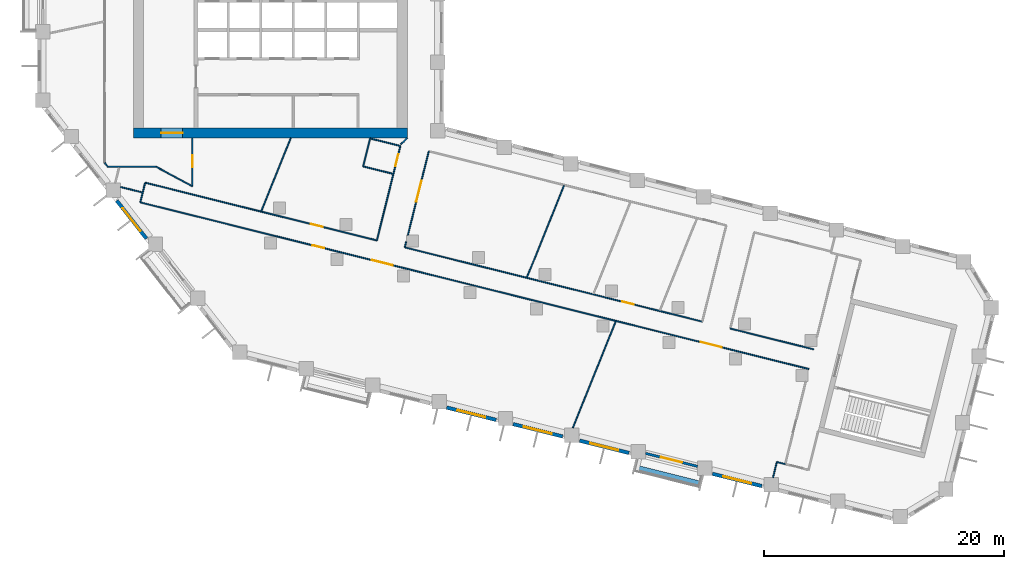
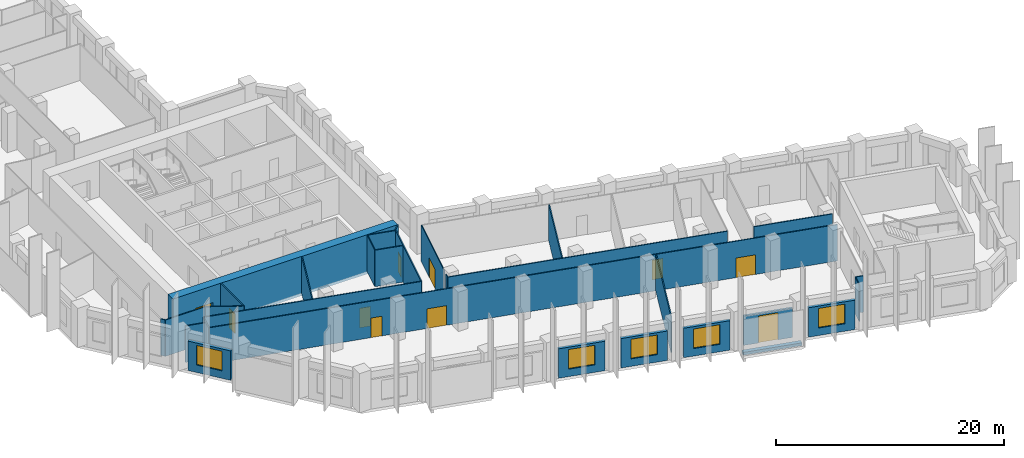
# One storey, part 3 of 10: 30 walls, 10 doors, 5 windows, 15 openings.
"""IFC4 building model written with IfcOpenShell, lengths in metres."""

from ifc_helpers import new_model, si_unit, direction, frame, frame_2d, origin, place, context, subcontext, project, spatial, rectangle, extrude, material, layer, layer_set, type_object, element, fill, save


model = new_model("IFC4")

# Units and contexts
model_context = context("Model", 3, precision=1e-05, world=origin(), true_north=direction((0.0, 1.0)))
body_context = subcontext(model_context, "Body", "Model", "MODEL_VIEW")
ifc_project = project(units=[si_unit("LENGTHUNIT", "METRE"), si_unit("AREAUNIT", "SQUARE_METRE"), si_unit("VOLUMEUNIT", "CUBIC_METRE"), si_unit("PLANEANGLEUNIT", "RADIAN"), si_unit("MASSUNIT", "GRAM", prefix="KILO")], contexts=[model_context])

# Site, building, storey
site_placement = place(None, origin())
site = spatial("IfcSite", under=ifc_project, at=site_placement, CompositionType="ELEMENT")
building_placement = place(site_placement, origin())
building = spatial("IfcBuilding", under=site, at=building_placement, Name="Meshkara Civic Tower", CompositionType="ELEMENT")
storey_placement = place(building_placement, frame((0.0, 0.0, 211.800048828125)))
storey = spatial("IfcBuildingStorey", under=building, at=storey_placement, Name="L48", CompositionType="ELEMENT", Elevation=211.800048828125)

# Wall, opening, door
ifc_material_1 = material(Name="Concrete C70", Category="concrete")
ifc_layer_1 = layer(ifc_material_1, 0.85009765625)
ifc_layer_set_1 = layer_set([ifc_layer_1], Name="Core ring wall 850 C70")
wall_type_1 = type_object("IfcWallType", Name="Core ring wall 850 C70", PredefinedType="SHEAR", material=ifc_layer_set_1)
wall_1_placement = place(storey_placement, frame((8.0, 14.52490234375, -0.300048828125), z_axis=(0.0, 0.0, 1.0), x_axis=(1.0, 0.0, 0.0)))
wall_1 = element("IfcWall", 1, at=wall_1_placement, inside=storey, type_object=wall_type_1, Name="L48-C001", PredefinedType="SHEAR", context=body_context, shape_type="SweptSolid", body=[
    extrude(rectangle(XDim=22.800048828125, YDim=0.85009765625, at=frame_2d((11.39990234375, 0.0))), origin(), (0.0, 0.0, 1.0), 4.199951171875),
])
opening_1_placement = place(wall_1_placement, frame((2.300048828125, 0.0, 0.300048828125)))
opening_1 = element("IfcOpeningElement", 2, at=opening_1_placement, cuts=wall_1, Name="Opening L48-K021", PredefinedType="OPENING", context=body_context, shape_type="SweptSolid", body=[
    extrude(rectangle(XDim=1.800048828125, YDim=2.10009765625, at=frame_2d((0.89990234375, 1.050048828125))), frame((0.0, 0.43505859375, 0.0), z_axis=(0.0, -1.0, 0.0), x_axis=(1.0, 0.0, 0.0)), (0.0, 0.0, 1.0), 0.8701171875),
])
ifc_material_2 = material(Name="Fire-rated door leaf in steel frame", Category="steel")
door_type_1 = type_object("IfcDoorType", Name="Core double door 1800 EI 60", OperationType="DOUBLE_DOOR_SINGLE_SWING", PredefinedType="DOOR", material=ifc_material_2)
door_1_placement = place(opening_1_placement, origin())
door_1 = element("IfcDoor", 3, at=door_1_placement, inside=storey, type_object=door_type_1, Name="L48-K021", OperationType="DOUBLE_DOOR_SINGLE_SWING", OverallHeight=2.10009765625, OverallWidth=1.800048828125, PredefinedType="DOOR", context=body_context, shape_type="SweptSolid", body=[
    extrude(rectangle(XDim=1.800048828125, YDim=2.10009765625, at=frame_2d((0.89990234375, 1.050048828125))), frame((0.0, 0.02490234375, 0.0), z_axis=(0.0, -1.0, 0.0), x_axis=(1.0, 0.0, 0.0)), (0.0, 0.0, 1.0), 0.050048828125),
])
fill(opening_1, door_1)

# Walls
ifc_material_3 = material(Name="Corridor wall 100")
ifc_layer_2 = layer(ifc_material_3, 0.10009765625)
ifc_layer_set_2 = layer_set([ifc_layer_2], Name="Corridor wall 100")
wall_type_2 = type_object("IfcWallType", Name="Corridor wall 100", PredefinedType="PARTITIONING", material=ifc_layer_set_2)
wall_2_placement = place(storey_placement, frame((5.60009765625, 12.04296875, 0.0), z_axis=(0.0, 0.0, 1.0), x_axis=(0.615415398102, -0.788202948344, 0.0)))
element("IfcWall", 4, at=wall_2_placement, inside=storey, type_object=wall_type_2, Name="L48-W004", PredefinedType="PARTITIONING", context=body_context, shape_type="SweptSolid", body=[
    extrude(rectangle(XDim=0.435302734375, YDim=0.10009765625, at=frame_2d((0.2177734375, 0.0))), origin(), (0.0, 0.0, 1.0), 3.89990234375),
])
wall_3_placement = place(storey_placement, frame((5.867919921875, 11.699951171875, 0.0), z_axis=(0.0, 0.0, 1.0), x_axis=(1.0, 0.0, 0.0)))
element("IfcWall", 5, at=wall_3_placement, inside=storey, type_object=wall_type_2, Name="L48-W006", PredefinedType="PARTITIONING", context=body_context, shape_type="SweptSolid", body=[
    extrude(rectangle(XDim=4.031982421875, YDim=0.10009765625, at=frame_2d((2.01611328125, 0.0))), origin(), (0.0, 0.0, 1.0), 3.89990234375),
])

# Wall, openings, doors
wall_4_placement = place(storey_placement, frame((8.56494140625, 8.743896484375, 0.0), z_axis=(0.0, 0.0, 1.0), x_axis=(0.970296742948, -0.241917817915, 0.0)))
wall_4 = element("IfcWall", 6, at=wall_4_placement, inside=storey, type_object=wall_type_2, Name="L48-W008", PredefinedType="PARTITIONING", context=body_context, shape_type="SweptSolid", body=[
    extrude(rectangle(XDim=57.374267578125, YDim=0.10009765625, at=frame_2d((28.68701171875, 0.0))), origin(), (0.0, 0.0, 1.0), 3.89990234375),
])
opening_2_placement = place(wall_4_placement, frame((48.091064453125, 0.0, 0.0)))
opening_2 = element("IfcOpeningElement", 7, at=opening_2_placement, cuts=wall_4, Name="Opening L48-D003", PredefinedType="OPENING", context=body_context, shape_type="SweptSolid", body=[
    extrude(rectangle(XDim=1.800048828125, YDim=2.10009765625, at=frame_2d((0.89990234375, 1.050048828125))), frame((0.0, 0.06005859375, 0.0), z_axis=(0.0, -1.0, 0.0), x_axis=(1.0, 0.0, 0.0)), (0.0, 0.0, 1.0), 0.1201171875),
])
opening_3_placement = place(wall_4_placement, frame((14.780029296875, 0.0, 0.0)))
opening_3 = element("IfcOpeningElement", 8, at=opening_3_placement, cuts=wall_4, Name="Opening L48-D004", PredefinedType="OPENING", context=body_context, shape_type="SweptSolid", body=[
    extrude(rectangle(XDim=1.0, YDim=2.10009765625, at=frame_2d((0.5, 1.050048828125))), frame((0.0, 0.06005859375, 0.0), z_axis=(0.0, -1.0, 0.0), x_axis=(1.0, 0.0, 0.0)), (0.0, 0.0, 1.0), 0.1201171875),
])
opening_4_placement = place(wall_4_placement, frame((19.8798828125, 0.0, 0.0)))
opening_4 = element("IfcOpeningElement", 9, at=opening_4_placement, cuts=wall_4, Name="Opening L48-D005", PredefinedType="OPENING", context=body_context, shape_type="SweptSolid", body=[
    extrude(rectangle(XDim=1.800048828125, YDim=2.10009765625, at=frame_2d((0.89990234375, 1.050048828125))), frame((0.0, 0.06005859375, 0.0), z_axis=(0.0, -1.0, 0.0), x_axis=(1.0, 0.0, 0.0)), (0.0, 0.0, 1.0), 0.1201171875),
])
ifc_material_4 = material(Name="Door 1000 x 2100")
door_type_2 = type_object("IfcDoorType", Name="Door 1000 x 2100", OperationType="SINGLE_SWING_LEFT", PredefinedType="DOOR", material=ifc_material_4)
door_2_placement = place(opening_3_placement, origin())
door_2 = element("IfcDoor", 10, at=door_2_placement, inside=storey, type_object=door_type_2, Name="L48-D004", OperationType="SINGLE_SWING_RIGHT", OverallHeight=2.10009765625, OverallWidth=1.0, PredefinedType="DOOR", context=body_context, shape_type="SweptSolid", body=[
    extrude(rectangle(XDim=1.0, YDim=2.10009765625, at=frame_2d((0.5, 1.050048828125))), frame((0.0, 0.02490234375, 0.0), z_axis=(0.0, -1.0, 0.0), x_axis=(1.0, 0.0, 0.0)), (0.0, 0.0, 1.0), 0.050048828125),
])
fill(opening_3, door_2)
ifc_material_5 = material(Name="Door pair 1800 x 2100")
door_type_3 = type_object("IfcDoorType", Name="Door pair 1800 x 2100", OperationType="SINGLE_SWING_LEFT", PredefinedType="DOOR", material=ifc_material_5)
door_3_placement = place(opening_2_placement, origin())
door_3 = element("IfcDoor", 11, at=door_3_placement, inside=storey, type_object=door_type_3, Name="L48-D003", OperationType="DOUBLE_DOOR_SINGLE_SWING", OverallHeight=2.10009765625, OverallWidth=1.800048828125, PredefinedType="DOOR", context=body_context, shape_type="SweptSolid", body=[
    extrude(rectangle(XDim=1.800048828125, YDim=2.10009765625, at=frame_2d((0.89990234375, 1.050048828125))), frame((0.0, 0.02490234375, 0.0), z_axis=(0.0, -1.0, 0.0), x_axis=(1.0, 0.0, 0.0)), (0.0, 0.0, 1.0), 0.050048828125),
])
fill(opening_2, door_3)
door_4_placement = place(opening_4_placement, origin())
door_4 = element("IfcDoor", 12, at=door_4_placement, inside=storey, type_object=door_type_3, Name="L48-D005", OperationType="DOUBLE_DOOR_SINGLE_SWING", OverallHeight=2.10009765625, OverallWidth=1.800048828125, PredefinedType="DOOR", context=body_context, shape_type="SweptSolid", body=[
    extrude(rectangle(XDim=1.800048828125, YDim=2.10009765625, at=frame_2d((0.89990234375, 1.050048828125))), frame((0.0, 0.02490234375, 0.0), z_axis=(0.0, -1.0, 0.0), x_axis=(1.0, 0.0, 0.0)), (0.0, 0.0, 1.0), 0.050048828125),
])
fill(opening_4, door_4)

# Wall, opening, door
wall_5_placement = place(storey_placement, frame((8.972900390625, 10.382080078125, 0.0), z_axis=(0.0, 0.0, 1.0), x_axis=(0.970286808807, -0.241957658808, 0.0)))
wall_5 = element("IfcWall", 13, at=wall_5_placement, inside=storey, type_object=wall_type_2, Name="L48-W009", PredefinedType="PARTITIONING", context=body_context, shape_type="SweptSolid", body=[
    extrude(rectangle(XDim=19.879638671875, YDim=0.10009765625, at=frame_2d((9.93994140625, 0.0))), origin(), (0.0, 0.0, 1.0), 3.89990234375),
])
opening_5_placement = place(wall_5_placement, frame((14.22509765625, 0.0, 0.0)))
opening_5 = element("IfcOpeningElement", 14, at=opening_5_placement, cuts=wall_5, Name="Opening L48-D009", PredefinedType="OPENING", context=body_context, shape_type="SweptSolid", body=[
    extrude(rectangle(XDim=1.0, YDim=2.10009765625, at=frame_2d((0.5, 1.050048828125))), frame((0.0, 0.06005859375, 0.0), z_axis=(0.0, -1.0, 0.0), x_axis=(1.0, 0.0, 0.0)), (0.0, 0.0, 1.0), 0.1201171875),
])
door_5_placement = place(opening_5_placement, origin())
door_5 = element("IfcDoor", 15, at=door_5_placement, inside=storey, type_object=door_type_2, Name="L48-D009", OperationType="SINGLE_SWING_LEFT", OverallHeight=2.10009765625, OverallWidth=1.0, PredefinedType="DOOR", context=body_context, shape_type="SweptSolid", body=[
    extrude(rectangle(XDim=1.0, YDim=2.10009765625, at=frame_2d((0.5, 1.050048828125))), frame((0.0, 0.02490234375, 0.0), z_axis=(0.0, -1.0, 0.0), x_axis=(1.0, 0.0, 0.0)), (0.0, 0.0, 1.0), 0.050048828125),
])
fill(opening_5, door_5)

# Walls
wall_6_placement = place(storey_placement, frame((8.972900390625, 10.382080078125, 0.0), z_axis=(0.0, 0.0, 1.0), x_axis=(-0.241650823739, -0.970363271866, 0.0)))
element("IfcWall", 16, at=wall_6_placement, inside=storey, type_object=wall_type_2, Name="L48-W010", PredefinedType="PARTITIONING", context=body_context, shape_type="SweptSolid", body=[
    extrude(rectangle(XDim=1.688232421875, YDim=0.10009765625, at=frame_2d((0.84423828125, 0.0))), origin(), (0.0, 0.0, 1.0), 3.89990234375),
])
wall_7_placement = place(storey_placement, frame((9.89990234375, 11.699951171875, 0.0), z_axis=(0.0, 0.0, 1.0), x_axis=(0.87965147249, -0.475618846291, 0.0)))
element("IfcWall", 17, at=wall_7_placement, inside=storey, type_object=wall_type_2, Name="L48-W011", PredefinedType="PARTITIONING", context=body_context, shape_type="SweptSolid", body=[
    extrude(rectangle(XDim=3.410400390625, YDim=0.10009765625, at=frame_2d((1.705078125, 0.0))), origin(), (0.0, 0.0, 1.0), 3.89990234375),
])

# Wall, opening, door
wall_8_placement = place(storey_placement, frame((12.89990234375, 10.077880859375, 0.0), z_axis=(0.0, 0.0, 1.0), x_axis=(0.0, 1.0, 0.0)))
wall_8 = element("IfcWall", 18, at=wall_8_placement, inside=storey, type_object=wall_type_2, Name="L48-W016", PredefinedType="PARTITIONING", context=body_context, shape_type="SweptSolid", body=[
    extrude(rectangle(XDim=4.022216796875, YDim=0.10009765625, at=frame_2d((2.01123046875, 0.0))), origin(), (0.0, 0.0, 1.0), 3.89990234375),
])
opening_6_placement = place(wall_8_placement, frame((1.580078125, 0.0, 0.0)))
opening_6 = element("IfcOpeningElement", 19, at=opening_6_placement, cuts=wall_8, Name="Opening L48-D013", PredefinedType="OPENING", context=body_context, shape_type="SweptSolid", body=[
    extrude(rectangle(XDim=1.0, YDim=2.10009765625, at=frame_2d((0.5, 1.050048828125))), frame((0.0, 0.06005859375, 0.0), z_axis=(0.0, -1.0, 0.0), x_axis=(1.0, 0.0, 0.0)), (0.0, 0.0, 1.0), 0.1201171875),
])
door_6_placement = place(opening_6_placement, origin())
door_6 = element("IfcDoor", 20, at=door_6_placement, inside=storey, type_object=door_type_2, Name="L48-D013", OperationType="SINGLE_SWING_LEFT", OverallHeight=2.10009765625, OverallWidth=1.0, PredefinedType="DOOR", context=body_context, shape_type="SweptSolid", body=[
    extrude(rectangle(XDim=1.0, YDim=2.10009765625, at=frame_2d((0.5, 1.050048828125))), frame((0.0, 0.02490234375, 0.0), z_axis=(0.0, -1.0, 0.0), x_axis=(1.0, 0.0, 0.0)), (0.0, 0.0, 1.0), 0.050048828125),
])
fill(opening_6, door_6)

wall_9_placement = place(storey_placement, frame((28.261962890625, 5.572021484375, 0.0), z_axis=(0.0, 0.0, 1.0), x_axis=(0.241919014237, 0.970296444676, 0.0)))
wall_9 = element("IfcWall", 21, at=wall_9_placement, inside=storey, type_object=wall_type_2, Name="L48-W026", PredefinedType="PARTITIONING", context=body_context, shape_type="SweptSolid", body=[
    extrude(rectangle(XDim=8.105712890625, YDim=0.10009765625, at=frame_2d((4.052734375, 0.0))), origin(), (0.0, 0.0, 1.0), 3.89990234375),
])
opening_7_placement = place(wall_9_placement, frame((6.385986328125, 0.0, 0.0)))
opening_7 = element("IfcOpeningElement", 22, at=opening_7_placement, cuts=wall_9, Name="Opening L48-D014", PredefinedType="OPENING", context=body_context, shape_type="SweptSolid", body=[
    extrude(rectangle(XDim=1.0, YDim=2.10009765625, at=frame_2d((0.5, 1.050048828125))), frame((0.0, 0.06005859375, 0.0), z_axis=(0.0, -1.0, 0.0), x_axis=(1.0, 0.0, 0.0)), (0.0, 0.0, 1.0), 0.1201171875),
])
door_7_placement = place(opening_7_placement, origin())
door_7 = element("IfcDoor", 23, at=door_7_placement, inside=storey, type_object=door_type_2, Name="L48-D014", OperationType="SINGLE_SWING_LEFT", OverallHeight=2.10009765625, OverallWidth=1.0, PredefinedType="DOOR", context=body_context, shape_type="SweptSolid", body=[
    extrude(rectangle(XDim=1.0, YDim=2.10009765625, at=frame_2d((0.5, 1.050048828125))), frame((0.0, 0.02490234375, 0.0), z_axis=(0.0, -1.0, 0.0), x_axis=(1.0, 0.0, 0.0)), (0.0, 0.0, 1.0), 0.050048828125),
])
fill(opening_7, door_7)

wall_10_placement = place(storey_placement, frame((30.590087890625, 4.991943359375, 0.0), z_axis=(0.0, 0.0, 1.0), x_axis=(0.97028916255, -0.241948219746, 0.0)))
wall_10 = element("IfcWall", 24, at=wall_10_placement, inside=storey, type_object=wall_type_2, Name="L48-W028", PredefinedType="PARTITIONING", context=body_context, shape_type="SweptSolid", body=[
    extrude(rectangle(XDim=25.526123046875, YDim=0.10009765625, at=frame_2d((12.76318359375, 0.0))), origin(), (0.0, 0.0, 1.0), 3.89990234375),
])
opening_8_placement = place(wall_10_placement, frame((18.64599609375, 0.0, 0.0)))
opening_8 = element("IfcOpeningElement", 25, at=opening_8_placement, cuts=wall_10, Name="Opening L48-D006", PredefinedType="OPENING", context=body_context, shape_type="SweptSolid", body=[
    extrude(rectangle(XDim=1.0, YDim=2.10009765625, at=frame_2d((0.5, 1.050048828125))), frame((0.0, 0.06005859375, 0.0), z_axis=(0.0, -1.0, 0.0), x_axis=(1.0, 0.0, 0.0)), (0.0, 0.0, 1.0), 0.1201171875),
])
door_8_placement = place(opening_8_placement, origin())
door_8 = element("IfcDoor", 26, at=door_8_placement, inside=storey, type_object=door_type_2, Name="L48-D006", OperationType="SINGLE_SWING_RIGHT", OverallHeight=2.10009765625, OverallWidth=1.0, PredefinedType="DOOR", context=body_context, shape_type="SweptSolid", body=[
    extrude(rectangle(XDim=1.0, YDim=2.10009765625, at=frame_2d((0.5, 1.050048828125))), frame((0.0, 0.02490234375, 0.0), z_axis=(0.0, -1.0, 0.0), x_axis=(1.0, 0.0, 0.0)), (0.0, 0.0, 1.0), 0.050048828125),
])
fill(opening_8, door_8)

# Walls
wall_11_placement = place(storey_placement, frame((30.590087890625, 4.991943359375, 0.0), z_axis=(0.0, 0.0, 1.0), x_axis=(0.241731207299, 0.970343250308, 0.0)))
element("IfcWall", 27, at=wall_11_placement, inside=storey, type_object=wall_type_2, Name="L48-W029", PredefinedType="PARTITIONING", context=body_context, shape_type="SweptSolid", body=[
    extrude(rectangle(XDim=0.5, YDim=0.10009765625, at=frame_2d((0.25, 0.0))), origin(), (0.0, 0.0, 1.0), 3.89990234375),
])
wall_12_placement = place(storey_placement, frame((30.800048828125, 14.10009765625, 0.0), z_axis=(0.0, 0.0, 1.0), x_axis=(-0.722911025189, -0.690941133281, 0.0)))
element("IfcWall", 28, at=wall_12_placement, inside=storey, type_object=wall_type_2, Name="L48-W030", PredefinedType="PARTITIONING", context=body_context, shape_type="SweptSolid", body=[
    extrude(rectangle(XDim=0.748291015625, YDim=0.10009765625, at=frame_2d((0.3740234375, 0.0))), origin(), (0.0, 0.0, 1.0), 3.89990234375),
])

# Wall, opening, door
wall_13_placement = place(storey_placement, frame((30.844970703125, 6.012939453125, 0.0), z_axis=(0.0, 0.0, 1.0), x_axis=(0.241969354343, 0.97028389225, 0.0)))
wall_13 = element("IfcWall", 29, at=wall_13_placement, inside=storey, type_object=wall_type_2, Name="L48-W031", PredefinedType="PARTITIONING", context=body_context, shape_type="SweptSolid", body=[
    extrude(rectangle(XDim=7.203125, YDim=0.10009765625, at=frame_2d((3.6015625, 0.0))), origin(), (0.0, 0.0, 1.0), 3.89990234375),
])
opening_9_placement = place(wall_13_placement, frame((2.8798828125, 0.0, 0.0)))
opening_9 = element("IfcOpeningElement", 30, at=opening_9_placement, cuts=wall_13, Name="Opening L48-D010", PredefinedType="OPENING", context=body_context, shape_type="SweptSolid", body=[
    extrude(rectangle(XDim=1.800048828125, YDim=2.10009765625, at=frame_2d((0.89990234375, 1.050048828125))), frame((0.0, 0.06005859375, 0.0), z_axis=(0.0, -1.0, 0.0), x_axis=(1.0, 0.0, 0.0)), (0.0, 0.0, 1.0), 0.1201171875),
])
door_9_placement = place(opening_9_placement, origin())
door_9 = element("IfcDoor", 31, at=door_9_placement, inside=storey, type_object=door_type_3, Name="L48-D010", OperationType="DOUBLE_DOOR_SINGLE_SWING", OverallHeight=2.10009765625, OverallWidth=1.800048828125, PredefinedType="DOOR", context=body_context, shape_type="SweptSolid", body=[
    extrude(rectangle(XDim=1.800048828125, YDim=2.10009765625, at=frame_2d((0.89990234375, 1.050048828125))), frame((0.0, 0.02490234375, 0.0), z_axis=(0.0, -1.0, 0.0), x_axis=(1.0, 0.0, 0.0)), (0.0, 0.0, 1.0), 0.050048828125),
])
fill(opening_9, door_9)

# Wall
wall_14_placement = place(storey_placement, frame((64.64404296875, -3.4990234375, 0.0), z_axis=(0.0, 0.0, 1.0), x_axis=(-0.970278545738, 0.241990792552, 0.0)))
element("IfcWall", 32, at=wall_14_placement, inside=storey, type_object=wall_type_2, Name="L48-W039", PredefinedType="PARTITIONING", context=body_context, shape_type="SweptSolid", body=[
    extrude(rectangle(XDim=7.170166015625, YDim=0.10009765625, at=frame_2d((3.5849609375, 0.0))), origin(), (0.0, 0.0, 1.0), 3.89990234375),
])

# Wall, opening, window
ifc_material_6 = material(Name="Insulated infill panel with bronze anodised aluminium cladding", Category="aluminium")
ifc_layer_3 = layer(ifc_material_6, 0.300048828125)
ifc_layer_set_3 = layer_set([ifc_layer_3], Name="EXTERNAL INFILL WALL 300")
wall_type_3 = type_object("IfcWallType", Name="EXTERNAL INFILL WALL 300", PredefinedType="SOLIDWALL", material=ifc_layer_set_3)
wall_15_placement = place(storey_placement, frame((6.60498046875, 8.888916015625, 0.0), z_axis=(0.0, 0.0, 1.0), x_axis=(0.615706559089, -0.787975528233, 0.0)))
wall_15 = element("IfcWall", 33, at=wall_15_placement, inside=storey, type_object=wall_type_3, Name="External wall", PredefinedType="SOLIDWALL", context=body_context, shape_type="SweptSolid", body=[
    extrude(rectangle(XDim=4.016357421875, YDim=0.300048828125, at=frame_2d((2.00830078125, 0.0))), origin(), (0.0, 0.0, 1.0), 3.14990234375),
])
opening_10_placement = place(wall_15_placement, frame((0.80810546875, 0.0, 0.800048828125)))
opening_10 = element("IfcOpeningElement", 34, at=opening_10_placement, cuts=wall_15, Name="Opening W7", PredefinedType="OPENING", context=body_context, shape_type="SweptSolid", body=[
    extrude(rectangle(XDim=2.39990234375, YDim=2.10009765625, at=frame_2d((1.199951171875, 1.050048828125))), frame((0.0, 0.159912109375, 0.0), z_axis=(0.0, -1.0, 0.0), x_axis=(1.0, 0.0, 0.0)), (0.0, 0.0, 1.0), 0.320068359375),
])
ifc_material_7 = material(Name="Tinted double glazing", Category="glass")
window_type = type_object("IfcWindowType", Name="WINDOW 2400x2100", PartitioningType="DOUBLE_PANEL_VERTICAL", PredefinedType="WINDOW", material=ifc_material_7)
window_1_placement = place(opening_10_placement, origin())
window_1 = element("IfcWindow", 35, at=window_1_placement, inside=storey, type_object=window_type, Name="Window", OverallHeight=2.10009765625, OverallWidth=2.39990234375, PartitioningType="DOUBLE_PANEL_VERTICAL", PredefinedType="WINDOW", context=body_context, shape_type="SweptSolid", body=[
    extrude(rectangle(XDim=2.39990234375, YDim=2.10009765625, at=frame_2d((1.199951171875, 1.050048828125))), frame((0.0, 0.030029296875, 0.0), z_axis=(0.0, -1.0, 0.0), x_axis=(1.0, 0.0, 0.0)), (0.0, 0.0, 1.0), 0.06005859375),
])
fill(opening_10, window_1)

wall_16_placement = place(storey_placement, frame((34.075927734375, -8.342041015625, 0.0), z_axis=(0.0, 0.0, 1.0), x_axis=(0.970318118028, -0.241832069473, 0.0)))
wall_16 = element("IfcWall", 36, at=wall_16_placement, inside=storey, type_object=wall_type_3, Name="External wall", PredefinedType="SOLIDWALL", context=body_context, shape_type="SweptSolid", body=[
    extrude(rectangle(XDim=4.24609375, YDim=0.300048828125, at=frame_2d((2.123046875, 0.0))), origin(), (0.0, 0.0, 1.0), 3.14990234375),
])
opening_11_placement = place(wall_16_placement, frame((0.923095703125, 0.0, 0.800048828125)))
opening_11 = element("IfcOpeningElement", 37, at=opening_11_placement, cuts=wall_16, Name="Opening W7", PredefinedType="OPENING", context=body_context, shape_type="SweptSolid", body=[
    extrude(rectangle(XDim=2.39990234375, YDim=2.10009765625, at=frame_2d((1.199951171875, 1.050048828125))), frame((0.0, 0.159912109375, 0.0), z_axis=(0.0, -1.0, 0.0), x_axis=(1.0, 0.0, 0.0)), (0.0, 0.0, 1.0), 0.320068359375),
])
window_2_placement = place(opening_11_placement, origin())
window_2 = element("IfcWindow", 38, at=window_2_placement, inside=storey, type_object=window_type, Name="Window", OverallHeight=2.10009765625, OverallWidth=2.39990234375, PartitioningType="DOUBLE_PANEL_VERTICAL", PredefinedType="WINDOW", context=body_context, shape_type="SweptSolid", body=[
    extrude(rectangle(XDim=2.39990234375, YDim=2.10009765625, at=frame_2d((1.199951171875, 1.050048828125))), frame((0.0, 0.030029296875, 0.0), z_axis=(0.0, -1.0, 0.0), x_axis=(1.0, 0.0, 0.0)), (0.0, 0.0, 1.0), 0.06005859375),
])
fill(opening_11, window_2)

wall_17_placement = place(storey_placement, frame((39.60693359375, -9.719970703125, 0.0), z_axis=(0.0, 0.0, 1.0), x_axis=(0.970250625545, -0.242102712975, 0.0)))
wall_17 = element("IfcWall", 39, at=wall_17_placement, inside=storey, type_object=wall_type_3, Name="External wall", PredefinedType="SOLIDWALL", context=body_context, shape_type="SweptSolid", body=[
    extrude(rectangle(XDim=4.246337890625, YDim=0.300048828125, at=frame_2d((2.123046875, 0.0))), origin(), (0.0, 0.0, 1.0), 3.14990234375),
])
opening_12_placement = place(wall_17_placement, frame((0.923095703125, 0.0, 0.800048828125)))
opening_12 = element("IfcOpeningElement", 40, at=opening_12_placement, cuts=wall_17, Name="Opening W7", PredefinedType="OPENING", context=body_context, shape_type="SweptSolid", body=[
    extrude(rectangle(XDim=2.39990234375, YDim=2.10009765625, at=frame_2d((1.199951171875, 1.050048828125))), frame((0.0, 0.159912109375, 0.0), z_axis=(0.0, -1.0, 0.0), x_axis=(1.0, 0.0, 0.0)), (0.0, 0.0, 1.0), 0.320068359375),
])
window_3_placement = place(opening_12_placement, origin())
window_3 = element("IfcWindow", 41, at=window_3_placement, inside=storey, type_object=window_type, Name="Window", OverallHeight=2.10009765625, OverallWidth=2.39990234375, PartitioningType="DOUBLE_PANEL_VERTICAL", PredefinedType="WINDOW", context=body_context, shape_type="SweptSolid", body=[
    extrude(rectangle(XDim=2.39990234375, YDim=2.10009765625, at=frame_2d((1.199951171875, 1.050048828125))), frame((0.0, 0.030029296875, 0.0), z_axis=(0.0, -1.0, 0.0), x_axis=(1.0, 0.0, 0.0)), (0.0, 0.0, 1.0), 0.06005859375),
])
fill(opening_12, window_3)

wall_18_placement = place(storey_placement, frame((45.137939453125, -11.09912109375, 0.0), z_axis=(0.0, 0.0, 1.0), x_axis=(0.970304663212, -0.241886048688, 0.0)))
wall_18 = element("IfcWall", 42, at=wall_18_placement, inside=storey, type_object=wall_type_3, Name="External wall", PredefinedType="SOLIDWALL", context=body_context, shape_type="SweptSolid", body=[
    extrude(rectangle(XDim=4.2451171875, YDim=0.300048828125, at=frame_2d((2.12255859375, 0.0))), origin(), (0.0, 0.0, 1.0), 3.14990234375),
])
opening_13_placement = place(wall_18_placement, frame((0.922119140625, 0.0, 0.800048828125)))
opening_13 = element("IfcOpeningElement", 43, at=opening_13_placement, cuts=wall_18, Name="Opening W7", PredefinedType="OPENING", context=body_context, shape_type="SweptSolid", body=[
    extrude(rectangle(XDim=2.39990234375, YDim=2.10009765625, at=frame_2d((1.199951171875, 1.050048828125))), frame((0.0, 0.159912109375, 0.0), z_axis=(0.0, -1.0, 0.0), x_axis=(1.0, 0.0, 0.0)), (0.0, 0.0, 1.0), 0.320068359375),
])
window_4_placement = place(opening_13_placement, origin())
window_4 = element("IfcWindow", 44, at=window_4_placement, inside=storey, type_object=window_type, Name="Window", OverallHeight=2.10009765625, OverallWidth=2.39990234375, PartitioningType="DOUBLE_PANEL_VERTICAL", PredefinedType="WINDOW", context=body_context, shape_type="SweptSolid", body=[
    extrude(rectangle(XDim=2.39990234375, YDim=2.10009765625, at=frame_2d((1.199951171875, 1.050048828125))), frame((0.0, 0.030029296875, 0.0), z_axis=(0.0, -1.0, 0.0), x_axis=(1.0, 0.0, 0.0)), (0.0, 0.0, 1.0), 0.06005859375),
])
fill(opening_13, window_4)

wall_19_placement = place(storey_placement, frame((56.198974609375, -13.85693359375, 0.0), z_axis=(0.0, 0.0, 1.0), x_axis=(0.97030462482, -0.241886202691, 0.0)))
wall_19 = element("IfcWall", 45, at=wall_19_placement, inside=storey, type_object=wall_type_3, Name="External wall", PredefinedType="SOLIDWALL", context=body_context, shape_type="SweptSolid", body=[
    extrude(rectangle(XDim=4.24609375, YDim=0.300048828125, at=frame_2d((2.123046875, 0.0))), origin(), (0.0, 0.0, 1.0), 3.14990234375),
])
opening_14_placement = place(wall_19_placement, frame((0.923095703125, 0.0, 0.800048828125)))
opening_14 = element("IfcOpeningElement", 46, at=opening_14_placement, cuts=wall_19, Name="Opening W7", PredefinedType="OPENING", context=body_context, shape_type="SweptSolid", body=[
    extrude(rectangle(XDim=2.39990234375, YDim=2.10009765625, at=frame_2d((1.199951171875, 1.050048828125))), frame((0.0, 0.159912109375, 0.0), z_axis=(0.0, -1.0, 0.0), x_axis=(1.0, 0.0, 0.0)), (0.0, 0.0, 1.0), 0.320068359375),
])
window_5_placement = place(opening_14_placement, origin())
window_5 = element("IfcWindow", 47, at=window_5_placement, inside=storey, type_object=window_type, Name="Window", OverallHeight=2.10009765625, OverallWidth=2.39990234375, PartitioningType="DOUBLE_PANEL_VERTICAL", PredefinedType="WINDOW", context=body_context, shape_type="SweptSolid", body=[
    extrude(rectangle(XDim=2.39990234375, YDim=2.10009765625, at=frame_2d((1.199951171875, 1.050048828125))), frame((0.0, 0.030029296875, 0.0), z_axis=(0.0, -1.0, 0.0), x_axis=(1.0, 0.0, 0.0)), (0.0, 0.0, 1.0), 0.06005859375),
])
fill(opening_14, window_5)

# Wall, opening, door
ifc_material_8 = material(Name="Insulated infill panel with bronze anodised aluminium cladding", Category="aluminium")
ifc_layer_4 = layer(ifc_material_8, 0.199951171875)
ifc_layer_set_4 = layer_set([ifc_layer_4], Name="LOGGIA BACK WALL 200")
wall_type_4 = type_object("IfcWallType", Name="LOGGIA BACK WALL 200", PredefinedType="SOLIDWALL", material=ifc_layer_set_4)
wall_20_placement = place(storey_placement, frame((50.635009765625, -12.160888671875, 0.0), z_axis=(0.0, 0.0, 1.0), x_axis=(0.970335243139, -0.241763346938, 0.0)))
wall_20 = element("IfcWall", 48, at=wall_20_placement, inside=storey, type_object=wall_type_4, Name="Loggia wall", PredefinedType="SOLIDWALL", context=body_context, shape_type="SweptSolid", body=[
    extrude(rectangle(XDim=4.46337890625, YDim=0.199951171875, at=frame_2d((2.231689453125, 0.0))), origin(), (0.0, 0.0, 1.0), 3.14990234375),
])
opening_15_placement = place(wall_20_placement, frame((1.3310546875, 0.0, 0.0)))
opening_15 = element("IfcOpeningElement", 49, at=opening_15_placement, cuts=wall_20, Name="Opening L48-L005", PredefinedType="OPENING", context=body_context, shape_type="SweptSolid", body=[
    extrude(rectangle(XDim=1.800048828125, YDim=2.89990234375, at=frame_2d((0.89990234375, 1.449951171875))), frame((0.0, 0.10986328125, 0.0), z_axis=(0.0, -1.0, 0.0), x_axis=(1.0, 0.0, 0.0)), (0.0, 0.0, 1.0), 0.219970703125),
])
ifc_material_9 = material(Name="Tinted double glazing", Category="glass")
door_type_4 = type_object("IfcDoorType", Name="LOGGIA DOOR 1800x2900", OperationType="DOUBLE_DOOR_SINGLE_SWING", PredefinedType="DOOR", material=ifc_material_9)
door_10_placement = place(opening_15_placement, origin())
door_10 = element("IfcDoor", 50, at=door_10_placement, inside=storey, type_object=door_type_4, Name="L48-L005", OperationType="DOUBLE_DOOR_SINGLE_SWING", OverallHeight=2.89990234375, OverallWidth=1.800048828125, PredefinedType="DOOR", context=body_context, shape_type="SweptSolid", body=[
    extrude(rectangle(XDim=1.800048828125, YDim=2.89990234375, at=frame_2d((0.89990234375, 1.449951171875))), frame((0.0, 0.02490234375, 0.0), z_axis=(0.0, -1.0, 0.0), x_axis=(1.0, 0.0, 0.0)), (0.0, 0.0, 1.0), 0.050048828125),
])
fill(opening_15, door_10)

# Walls
ifc_material_10 = material(Name="Concrete C40", Category="concrete")
ifc_layer_5 = layer(ifc_material_10, 0.39990234375)
ifc_layer_set_5 = layer_set([ifc_layer_5], Name="PLANTER TRAY")
wall_type_5 = type_object("IfcWallType", Name="PLANTER TRAY", PredefinedType="SOLIDWALL", material=ifc_layer_set_5)
wall_21_placement = place(storey_placement, frame((49.8779296875, -13.343017578125, 0.0), z_axis=(0.0, 0.0, 1.0), x_axis=(0.970335098585, -0.241763927116, 0.0)))
element("IfcWall", 51, at=wall_21_placement, inside=storey, type_object=wall_type_5, Name="Planter", PredefinedType="SOLIDWALL", context=body_context, shape_type="SweptSolid", body=[
    extrude(rectangle(XDim=5.360107421875, YDim=0.39990234375, at=frame_2d((2.68017578125, 0.0))), origin(), (0.0, 0.0, 1.0), 0.300048828125),
])
ifc_material_11 = material(Name="Partition 100")
ifc_layer_6 = layer(ifc_material_11, 0.10009765625)
ifc_layer_set_6 = layer_set([ifc_layer_6], Name="Partition 100")
wall_type_6 = type_object("IfcWallType", Name="Partition 100", PredefinedType="PARTITIONING", material=ifc_layer_set_6)
wall_22_placement = place(storey_placement, frame((8.719970703125, 9.573974609375, 0.0), z_axis=(0.0, 0.0, 1.0), x_axis=(-0.97017350799, 0.242411559945, 0.0)))
element("IfcWall", 52, at=wall_22_placement, inside=storey, type_object=wall_type_6, Name="L48-W049", PredefinedType="PARTITIONING", context=body_context, shape_type="SweptSolid", body=[
    extrude(rectangle(XDim=1.85205078125, YDim=0.10009765625, at=frame_2d((0.926025390625, 0.0))), origin(), (0.0, 0.0, 1.0), 3.89990234375),
])
wall_23_placement = place(storey_placement, frame((18.64501953125, 8.029052734375, 0.0), z_axis=(0.0, 0.0, 1.0), x_axis=(0.374480928684, 0.927234616509, 0.0)))
element("IfcWall", 53, at=wall_23_placement, inside=storey, type_object=wall_type_6, Name="L48-W051", PredefinedType="PARTITIONING", context=body_context, shape_type="SweptSolid", body=[
    extrude(rectangle(XDim=6.54736328125, YDim=0.10009765625, at=frame_2d((3.273681640625, 0.0))), origin(), (0.0, 0.0, 1.0), 3.89990234375),
])
wall_24_placement = place(storey_placement, frame((27.118896484375, 11.738037109375, 0.0), z_axis=(0.0, 0.0, 1.0), x_axis=(0.242176473756, 0.970232217337, 0.0)))
element("IfcWall", 54, at=wall_24_placement, inside=storey, type_object=wall_type_6, Name="L48-W053", PredefinedType="PARTITIONING", context=body_context, shape_type="SweptSolid", body=[
    extrude(rectangle(XDim=2.3994140625, YDim=0.10009765625, at=frame_2d((1.19970703125, 0.0))), origin(), (0.0, 0.0, 1.0), 3.89990234375),
])
wall_25_placement = place(storey_placement, frame((27.699951171875, 14.06591796875, 0.0), z_axis=(0.0, 0.0, 1.0), x_axis=(0.970307970296, -0.241872782222, 0.0)))
element("IfcWall", 55, at=wall_25_placement, inside=storey, type_object=wall_type_6, Name="L48-W054", PredefinedType="PARTITIONING", context=body_context, shape_type="SweptSolid", body=[
    extrude(rectangle(XDim=2.60009765625, YDim=0.10009765625, at=frame_2d((1.300048828125, 0.0))), origin(), (0.0, 0.0, 1.0), 3.89990234375),
])
wall_26_placement = place(storey_placement, frame((29.593994140625, 11.12109375, 0.0), z_axis=(0.0, 0.0, 1.0), x_axis=(-0.970311165457, 0.241859964008, 0.0)))
element("IfcWall", 56, at=wall_26_placement, inside=storey, type_object=wall_type_6, Name="L48-W055", PredefinedType="PARTITIONING", context=body_context, shape_type="SweptSolid", body=[
    extrude(rectangle(XDim=2.55078125, YDim=0.10009765625, at=frame_2d((1.275390625, 0.0))), origin(), (0.0, 0.0, 1.0), 3.89990234375),
])
wall_27_placement = place(storey_placement, frame((40.76708984375, 2.512939453125, 0.0), z_axis=(0.0, 0.0, 1.0), x_axis=(0.374598555376, 0.927187102105, 0.0)))
element("IfcWall", 57, at=wall_27_placement, inside=storey, type_object=wall_type_6, Name="L48-W056", PredefinedType="PARTITIONING", context=body_context, shape_type="SweptSolid", body=[
    extrude(rectangle(XDim=8.2216796875, YDim=0.10009765625, at=frame_2d((4.11083984375, 0.0))), origin(), (0.0, 0.0, 1.0), 3.89990234375),
])
wall_28_placement = place(storey_placement, frame((44.574951171875, -10.031982421875, 0.0), z_axis=(0.0, 0.0, 1.0), x_axis=(0.374569235554, 0.927198947247, 0.0)))
element("IfcWall", 58, at=wall_28_placement, inside=storey, type_object=wall_type_6, Name="L48-W057", PredefinedType="PARTITIONING", context=body_context, shape_type="SweptSolid", body=[
    extrude(rectangle(XDim=9.54150390625, YDim=0.10009765625, at=frame_2d((4.770751953125, 0.0))), origin(), (0.0, 0.0, 1.0), 3.89990234375),
])
wall_29_placement = place(storey_placement, frame((61.2470703125, -14.1689453125, 0.0), z_axis=(0.0, 0.0, 1.0), x_axis=(0.241845285879, 0.970314824012, 0.0)))
element("IfcWall", 59, at=wall_29_placement, inside=storey, type_object=wall_type_6, Name="L48-W060", PredefinedType="PARTITIONING", context=body_context, shape_type="SweptSolid", body=[
    extrude(rectangle(XDim=1.33154296875, YDim=0.10009765625, at=frame_2d((0.665771484375, 0.0))), origin(), (0.0, 0.0, 1.0), 3.89990234375),
])
wall_30_placement = place(storey_placement, frame((61.569091796875, -12.876953125, 0.0), z_axis=(0.0, 0.0, 1.0), x_axis=(0.970202439735, -0.242295740641, 0.0)))
element("IfcWall", 60, at=wall_30_placement, inside=storey, type_object=wall_type_6, Name="L48-W061", PredefinedType="PARTITIONING", context=body_context, shape_type="SweptSolid", body=[
    extrude(rectangle(XDim=0.718505859375, YDim=0.10009765625, at=frame_2d((0.359375, 0.0))), origin(), (0.0, 0.0, 1.0), 3.89990234375),
])

save(model, "model.ifc")
